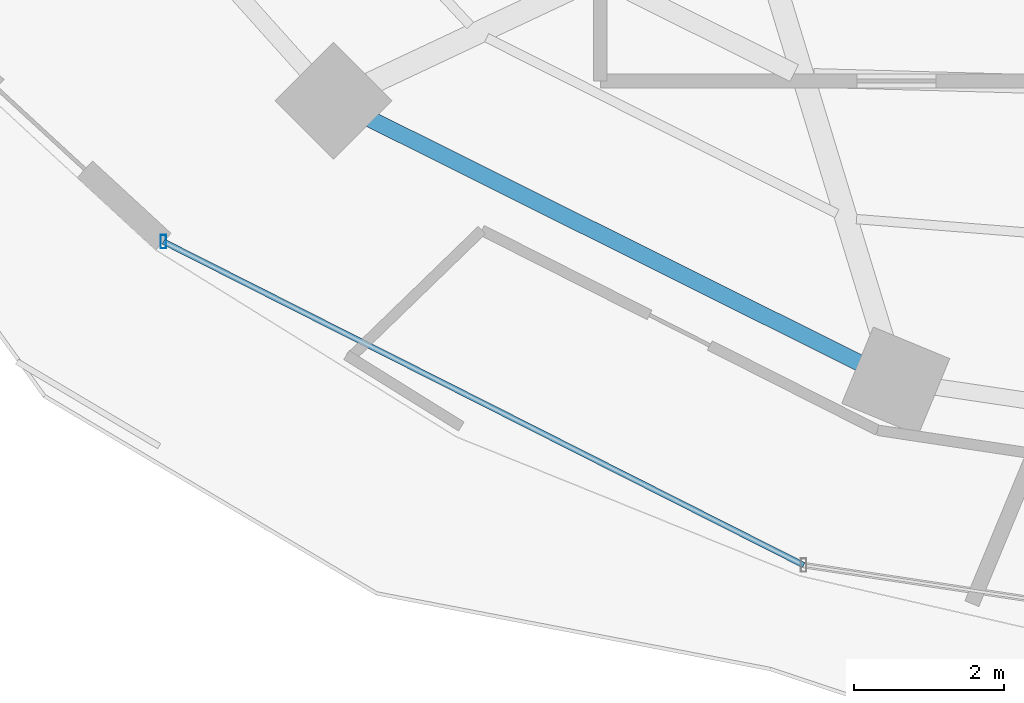
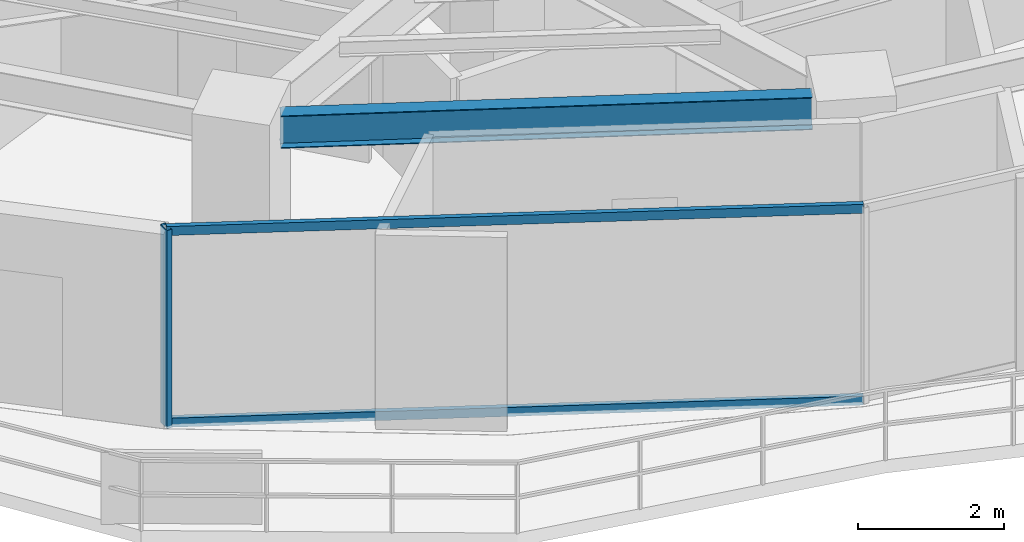
# One storey, part 2 of 31: 3 members, 1 beam, 1 element without a shape of its own.
"""IFC4 building model written with IfcOpenShell, lengths in metres."""

from ifc_helpers import new_model, si_unit, direction, frame, origin, origin_2d, place, context, subcontext, project, spatial, hollow_rectangle, i_section, extrude, material, material_profile, profile_set, type_object, element, aggregate, save


model = new_model("IFC4")

# Units and contexts
model_context = context("Model", 3, precision=1e-05, world=origin(), true_north=direction((0.0, 1.0)))
body_context = subcontext(model_context, "Body", "Model", "MODEL_VIEW")
ifc_project = project(units=[si_unit("LENGTHUNIT", "METRE"), si_unit("AREAUNIT", "SQUARE_METRE"), si_unit("VOLUMEUNIT", "CUBIC_METRE"), si_unit("PLANEANGLEUNIT", "RADIAN"), si_unit("MASSUNIT", "GRAM", prefix="KILO")], contexts=[model_context])

# Site, building, storey
site_placement = place(None, origin())
site = spatial("IfcSite", under=ifc_project, at=site_placement, CompositionType="ELEMENT")
building_placement = place(site_placement, origin())
building = spatial("IfcBuilding", under=site, at=building_placement, Name="Vorneva Point Tower", CompositionType="ELEMENT")
storey_placement = place(building_placement, frame((0.0, 0.0, 99.800048828125)))
storey = spatial("IfcBuildingStorey", under=building, at=storey_placement, Name="L26", CompositionType="ELEMENT", Elevation=99.800048828125)

# Beam
ifc_material_1 = material(Name="Steel S355", Category="steel")
ifc_material_profile_1 = material_profile(ifc_material_1, i_section(OverallWidth=0.219970703125, OverallDepth=0.54296875, WebThickness=0.009521484375, FlangeThickness=0.013427734375, at=origin_2d()), Name="55B1")
ifc_profile_set_1 = profile_set([ifc_material_profile_1], Name="Steel S355")
beam_type = type_object("IfcBeamType", Name="BM-SPN-55B1", PredefinedType="SPANDREL", material=ifc_profile_set_1)
beam_placement = place(storey_placement, frame((22.179931640625, 13.59912109375, 2.968505859375), z_axis=(0.894915882304, -0.446234874926, 0.0), x_axis=(0.446234874926, 0.894915882304, 0.0)))
element("IfcBeam", 1, at=beam_placement, inside=storey, type_object=beam_type, Name="L26 Perimeter Spandrel Ring Beam 11", PredefinedType="SPANDREL", context=body_context, shape_type="SweptSolid", body=[
    extrude(i_section(OverallWidth=0.219970703125, OverallDepth=0.54296875, WebThickness=0.009521484375, FlangeThickness=0.013427734375, at=origin_2d()), origin(), (0.0, 0.0, 1.0), 7.285888671875),
])

# Curtain wall, members
ifc_material_2 = material(Name="Pale anodised aluminium", Category="aluminium")
curtain_wall_type = type_object("IfcCurtainWallType", Name="CW-HTL-SYS", PredefinedType="NOTDEFINED", material=ifc_material_2)
curtain_wall_placement = place(storey_placement, origin())
curtain_wall = element("IfcCurtainWall", 2, at=curtain_wall_placement, inside=storey, type_object=curtain_wall_type, Name="L26 Unitised Curtain Wall CW-L26-R04", PredefinedType="NOTDEFINED")
ifc_material_profile_2 = material_profile(ifc_material_2, hollow_rectangle(XDim=0.074951171875, YDim=0.179931640625, WallThickness=0.00390625, at=origin_2d()), Name="AL-MUL 180x75x4")
ifc_profile_set_2 = profile_set([ifc_material_profile_2], Name="Pale anodised aluminium")
member_type_1 = type_object("IfcMemberType", Name="CW-MUL-180", PredefinedType="MULLION", material=ifc_profile_set_2)
member_1_placement = place(storey_placement, frame((19.4384765625, 11.9638671875, -0.0400390625), z_axis=(0.0, 0.0, 1.0), x_axis=(1.0, 0.0, 0.0)))
member_1 = element("IfcMember", 3, at=member_1_placement, type_object=member_type_1, Name="CW-L26-R04 Mullion 01", PredefinedType="MULLION", context=body_context, shape_type="SweptSolid", body=[
    extrude(hollow_rectangle(XDim=0.074951171875, YDim=0.179931640625, WallThickness=0.00390625, at=origin_2d()), origin(), (0.0, 0.0, 1.0), 3.31005859375),
])
ifc_material_profile_3 = material_profile(ifc_material_2, hollow_rectangle(XDim=0.074951171875, YDim=0.14990234375, WallThickness=0.00390625, at=origin_2d()), Name="AL-TRN 150x75x4")
ifc_profile_set_3 = profile_set([ifc_material_profile_3], Name="Pale anodised aluminium")
member_type_2 = type_object("IfcMemberType", Name="CW-TRN-150", PredefinedType="USERDEFINED", material=ifc_profile_set_3)
member_2_placement = place(storey_placement, frame((19.4384765625, 11.9638671875, 0.02001953125), z_axis=(0.892536035732, -0.450976080207, 0.0), x_axis=(0.450976080207, 0.892536035732, 0.0)))
member_2 = element("IfcMember", 4, at=member_2_placement, type_object=member_type_2, Name="CW-L26-R04 Transom 01.1", ObjectType="TRANSOM", PredefinedType="USERDEFINED", context=body_context, shape_type="SweptSolid", body=[
    extrude(hollow_rectangle(XDim=0.074951171875, YDim=0.14990234375, WallThickness=0.00390625, at=origin_2d()), origin(), (0.0, 0.0, 1.0), 9.54150390625),
])
member_3_placement = place(storey_placement, frame((19.4384765625, 11.9638671875, 3.219970703125), z_axis=(0.892536035732, -0.450976080207, 0.0), x_axis=(0.450976080207, 0.892536035732, 0.0)))
member_3 = element("IfcMember", 5, at=member_3_placement, type_object=member_type_2, Name="CW-L26-R04 Transom 01.2", ObjectType="TRANSOM", PredefinedType="USERDEFINED", context=body_context, shape_type="SweptSolid", body=[
    extrude(hollow_rectangle(XDim=0.074951171875, YDim=0.14990234375, WallThickness=0.00390625, at=origin_2d()), origin(), (0.0, 0.0, 1.0), 9.54150390625),
])
aggregate(curtain_wall, [member_1, member_2, member_3])

save(model, "model.ifc")
